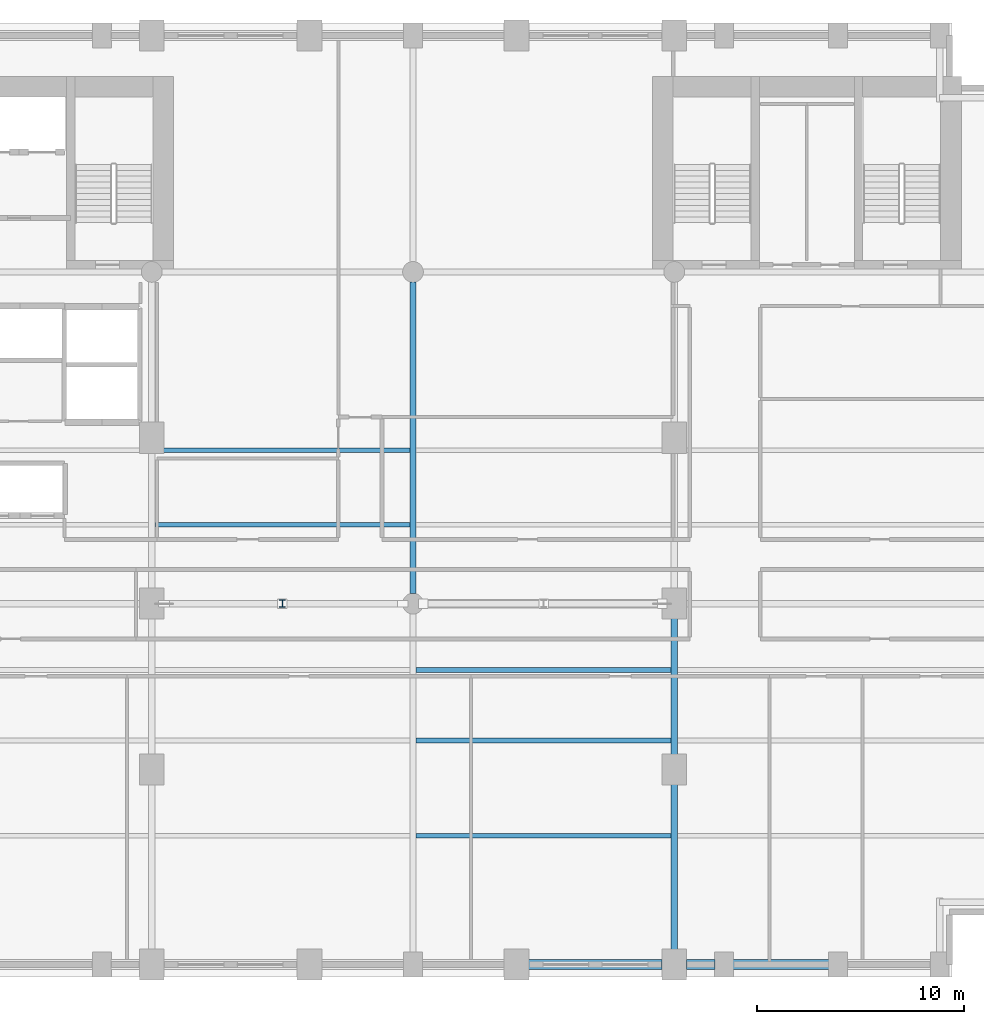
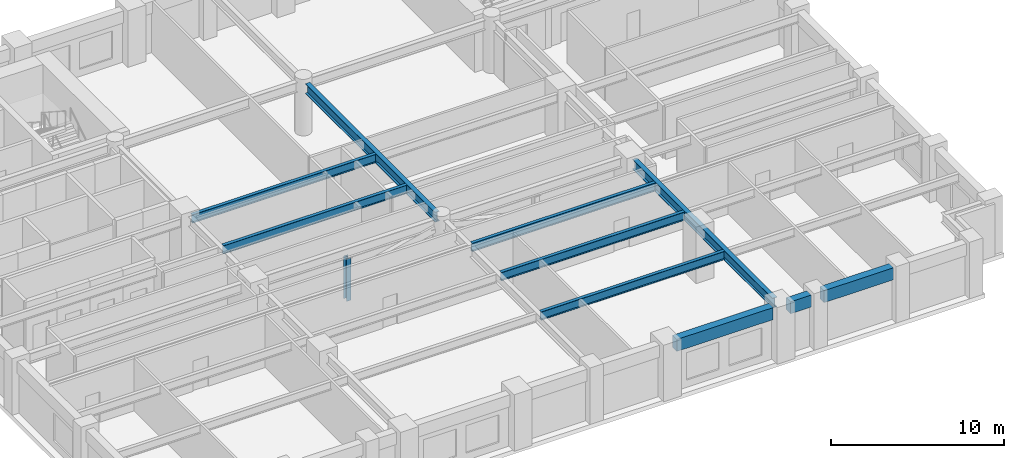
# One storey, part 2 of 10: 10 beams, 1 member.
"""IFC4 building model written with IfcOpenShell, lengths in metres."""

from ifc_helpers import new_model, si_unit, direction, frame, origin, origin_2d, place, context, subcontext, project, spatial, rectangle, i_section, extrude, material, material_profile, profile_set, type_object, element, save


model = new_model("IFC4")

# Units and contexts
model_context = context("Model", 3, precision=1e-05, world=origin(), true_north=direction((0.0, 1.0)))
body_context = subcontext(model_context, "Body", "Model", "MODEL_VIEW")
ifc_project = project(units=[si_unit("LENGTHUNIT", "METRE"), si_unit("AREAUNIT", "SQUARE_METRE"), si_unit("VOLUMEUNIT", "CUBIC_METRE"), si_unit("PLANEANGLEUNIT", "RADIAN"), si_unit("MASSUNIT", "GRAM", prefix="KILO")], contexts=[model_context])

# Site, building, storey
site_placement = place(None, origin())
site = spatial("IfcSite", under=ifc_project, at=site_placement, CompositionType="ELEMENT")
building_placement = place(site_placement, origin())
building = spatial("IfcBuilding", under=site, at=building_placement, Name="Sulina Concourse Tower", CompositionType="ELEMENT")
storey_placement = place(building_placement, frame((0.0, 0.0, 58.60009765625)))
storey = spatial("IfcBuildingStorey", under=building, at=storey_placement, Name="L14", CompositionType="ELEMENT", Elevation=58.60009765625)

# Beams
ifc_material_1 = material(Name="Steel S355", Category="steel")
ifc_material_profile_1 = material_profile(ifc_material_1, i_section(OverallWidth=0.219970703125, OverallDepth=0.60009765625, WebThickness=0.011962890625, FlangeThickness=0.01904296875, at=origin_2d()), Name="IPE 600")
ifc_profile_set_1 = profile_set([ifc_material_profile_1], Name="Steel S355")
beam_type_1 = type_object("IfcBeamType", Name="Composite Floor Joist IPE600", PredefinedType="JOIST", material=ifc_profile_set_1)
for number, where, z_axis, x_axis, name in (
    (1, (29.14990234375, 6.800048828125, 3.39990234375), (1.0, 0.0, 0.0), (0.0, 1.0, 0.0), "FJ-J06-3-L14"),
    (2, (29.14990234375, 11.39990234375, 3.39990234375), (1.0, 0.0, 0.0), (0.0, 1.0, 0.0), "FJ-J11-3-L14"),
    (3, (29.14990234375, 14.800048828125, 3.39990234375), (1.0, 0.0, 0.0), (0.0, 1.0, 0.0), "FJ-J15-3-L14"),
    (4, (16.550048828125, 21.800048828125, 3.39990234375), (1.0, 0.0, 0.0), (0.0, 1.0, 0.0), "FJ-J22-2-L14"),
    (5, (16.550048828125, 25.39990234375, 3.39990234375), (1.0, 0.0, 0.0), (0.0, 1.0, 0.0), "FJ-J25-2-L14"),
):
    element("IfcBeam", number, at=place(storey_placement, frame(where, z_axis=z_axis, x_axis=x_axis)), inside=storey, type_object=beam_type_1, Name=name, PredefinedType="JOIST", context=body_context, shape_type="SweptSolid", body=[
        extrude(i_section(OverallWidth=0.219970703125, OverallDepth=0.60009765625, WebThickness=0.011962890625, FlangeThickness=0.01904296875, at=origin_2d()), origin(), (0.0, 0.0, 1.0), 12.300048828125),
    ])
ifc_material_2 = material(Name="Steel S355", Category="steel")
ifc_material_profile_2 = material_profile(ifc_material_2, i_section(OverallWidth=0.300048828125, OverallDepth=0.699951171875, WebThickness=0.01708984375, FlangeThickness=0.031982421875, at=origin_2d()), Name="HE 700 B")
ifc_profile_set_2 = profile_set([ifc_material_profile_2], Name="Steel S355")
beam_type_2 = type_object("IfcBeamType", Name="Floor Primary Girder Zone 1 HE700B", PredefinedType="BEAM", material=ifc_profile_set_2)
beam_1_placement = place(storey_placement, frame((29.0, 18.47998046875, 3.349853515625), z_axis=(0.0, 1.0, 0.0), x_axis=(-1.0, 0.0, 0.0)))
element("IfcBeam", 6, at=beam_1_placement, inside=storey, type_object=beam_type_2, Name="FG-NSB-29-L14", PredefinedType="BEAM", context=body_context, shape_type="SweptSolid", body=[
    extrude(i_section(OverallWidth=0.300048828125, OverallDepth=0.699951171875, WebThickness=0.01708984375, FlangeThickness=0.031982421875, at=origin_2d()), origin(), (0.0, 0.0, 1.0), 15.0400390625),
])
beam_2_placement = place(storey_placement, frame((41.60009765625, 1.179931640625, 3.349853515625), z_axis=(0.0, 1.0, 0.0), x_axis=(-1.0, 0.0, 0.0)))
element("IfcBeam", 7, at=beam_2_placement, inside=storey, type_object=beam_type_2, Name="FG-NSA-41-L14", PredefinedType="BEAM", context=body_context, shape_type="SweptSolid", body=[
    extrude(i_section(OverallWidth=0.300048828125, OverallDepth=0.699951171875, WebThickness=0.01708984375, FlangeThickness=0.031982421875, at=origin_2d()), origin(), (0.0, 0.0, 1.0), 16.239990234375),
])
ifc_material_3 = material(Name="Precast concrete C50/60", Category="concrete")
ifc_material_profile_3 = material_profile(ifc_material_3, rectangle(XDim=0.5, YDim=0.85009765625, at=origin_2d()), Name="RC 500x850")
ifc_profile_set_3 = profile_set([ifc_material_profile_3], Name="Precast concrete C50/60")
beam_type_3 = type_object("IfcBeamType", Name="Lower Precast Spandrel Edge Beam 500x850", PredefinedType="BEAM", material=ifc_profile_set_3)
beam_3_placement = place(storey_placement, frame((34.580078125, 0.60009765625, 3.27490234375), z_axis=(1.0, 0.0, 0.0), x_axis=(0.0, 1.0, 0.0)))
element("IfcBeam", 8, at=beam_3_placement, inside=storey, type_object=beam_type_3, Name="SP-S7-L14", PredefinedType="BEAM", context=body_context, shape_type="SweptSolid", body=[
    extrude(rectangle(XDim=0.5, YDim=0.85009765625, at=origin_2d()), origin(), (0.0, 0.0, 1.0), 6.43994140625),
])
beam_4_placement = place(storey_placement, frame((42.179931640625, 0.60009765625, 3.27490234375), z_axis=(1.0, 0.0, 0.0), x_axis=(0.0, 1.0, 0.0)))
element("IfcBeam", 9, at=beam_4_placement, inside=storey, type_object=beam_type_3, Name="SP-S8-L14", PredefinedType="BEAM", context=body_context, shape_type="SweptSolid", body=[
    extrude(rectangle(XDim=0.5, YDim=0.85009765625, at=origin_2d()), origin(), (0.0, 0.0, 1.0), 1.39013671875),
])
beam_5_placement = place(storey_placement, frame((44.429931640625, 0.60009765625, 3.27490234375), z_axis=(1.0, 0.0, 0.0), x_axis=(0.0, 1.0, 0.0)))
element("IfcBeam", 10, at=beam_5_placement, inside=storey, type_object=beam_type_3, Name="SP-S9-L14", PredefinedType="BEAM", context=body_context, shape_type="SweptSolid", body=[
    extrude(rectangle(XDim=0.5, YDim=0.85009765625, at=origin_2d()), origin(), (0.0, 0.0, 1.0), 4.64013671875),
])

# Member
ifc_material_4 = material(Name="Steel S355", Category="steel")
ifc_material_profile_4 = material_profile(ifc_material_4, i_section(OverallWidth=0.300048828125, OverallDepth=0.360107421875, WebThickness=0.012451171875, FlangeThickness=0.0224609375, at=origin_2d()), Name="HE 360 B")
ifc_profile_set_4 = profile_set([ifc_material_profile_4], Name="Steel S355")
member_type = type_object("IfcMemberType", Name="Truss Vertical Post Strut HE360B", PredefinedType="STRUT", material=ifc_profile_set_4)
member_placement = place(storey_placement, frame((22.699951171875, 18.0, 0.0048828125), z_axis=(0.0, 0.0, 1.0), x_axis=(1.0, 0.0, 0.0)))
element("IfcMember", 11, at=member_placement, inside=storey, type_object=member_type, Name="LBT-VP-1-L14", PredefinedType="STRUT", context=body_context, shape_type="SweptSolid", body=[
    extrude(i_section(OverallWidth=0.300048828125, OverallDepth=0.360107421875, WebThickness=0.012451171875, FlangeThickness=0.0224609375, at=origin_2d()), origin(), (0.0, 0.0, 1.0), 3.005126953125),
])

save(model, "model.ifc")
